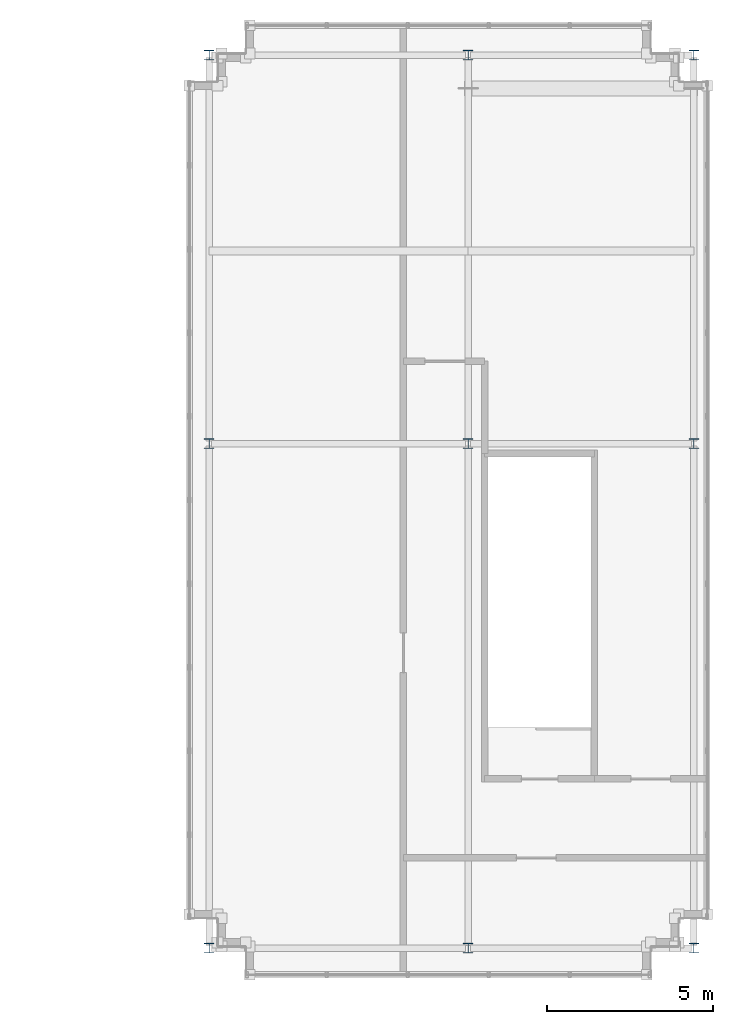
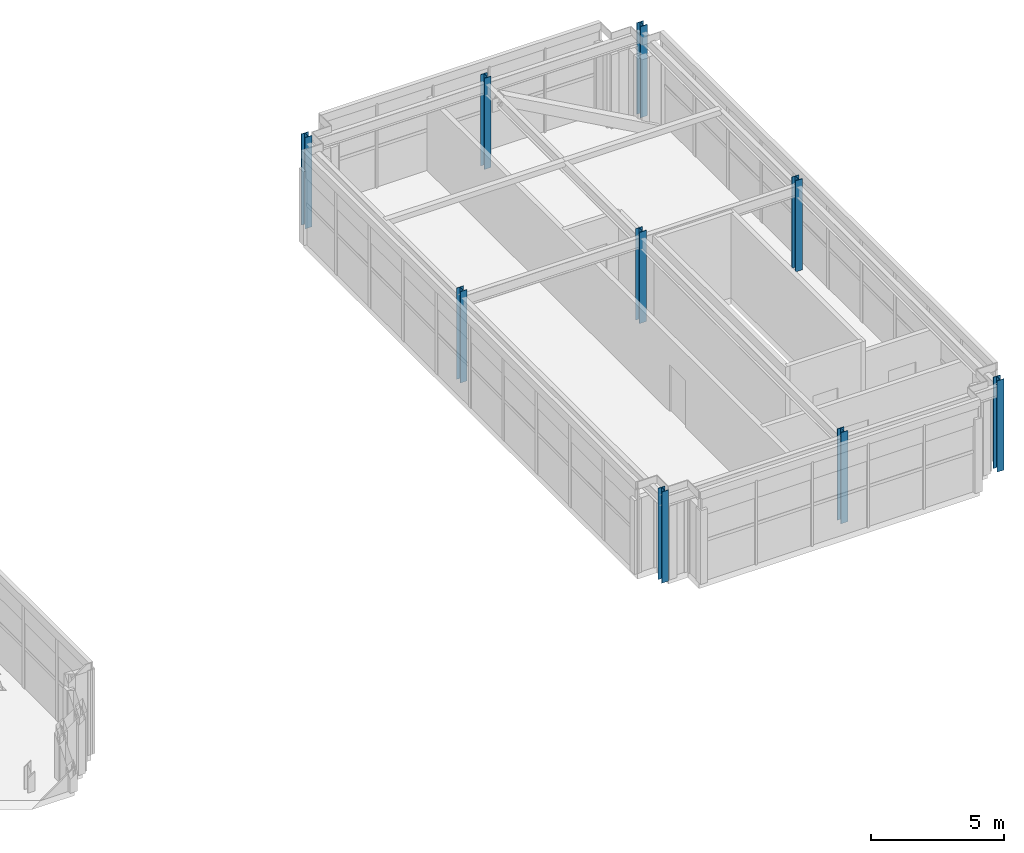
# One storey, part 2 of 25: 9 columns.
"""IFC4 building model written with IfcOpenShell, lengths in metres."""

from ifc_helpers import new_model, si_unit, direction, frame, origin, origin_2d, place, context, subcontext, project, spatial, i_section, extrude, source, transform, mapped, material, material_profile, profile_set, type_object, element, save


model = new_model("IFC4")

# Units and contexts
model_context = context("Model", 3, precision=1e-05, world=origin(), true_north=direction((0.0, 1.0)))
body_context = subcontext(model_context, "Body", "Model", "MODEL_VIEW")
ifc_project = project(units=[si_unit("LENGTHUNIT", "METRE"), si_unit("AREAUNIT", "SQUARE_METRE"), si_unit("VOLUMEUNIT", "CUBIC_METRE"), si_unit("PLANEANGLEUNIT", "RADIAN"), si_unit("MASSUNIT", "GRAM", prefix="KILO")], contexts=[model_context])

# Site, building, storey
site_placement = place(None, origin())
site = spatial("IfcSite", under=ifc_project, at=site_placement, CompositionType="ELEMENT")
building_placement = place(site_placement, origin())
building = spatial("IfcBuilding", under=site, at=building_placement, Name="Trelvane Seafront Commons", CompositionType="ELEMENT")
storey_placement = place(building_placement, frame((0.0, 0.0, 320.89990234375)))
storey = spatial("IfcBuildingStorey", under=building, at=storey_placement, Name="L83", CompositionType="ELEMENT", Elevation=320.89990234375)

# Columns
ifc_material = material(Name="Steel SM355 (S355)", Category="steel")
ifc_material_profile = material_profile(ifc_material, i_section(OverallWidth=0.300048828125, OverallDepth=0.300048828125, WebThickness=0.014892578125, FlangeThickness=0.02392578125, at=origin_2d()), Name="HD-300x300x15x24")
ifc_profile_set = profile_set([ifc_material_profile], Name="Steel SM355 (S355)")
column_type = type_object("IfcColumnType", Name="STR-CROWN-FRAME-COL", PredefinedType="COLUMN", material=ifc_profile_set)
shared_shape = source(origin(), body_context, "Body", "SweptSolid", [
    extrude(i_section(OverallWidth=0.300048828125, OverallDepth=0.300048828125, WebThickness=0.014892578125, FlangeThickness=0.02392578125, at=origin_2d()), origin(), (0.0, 0.0, 1.0), 4.2001953125),
])
for number, where, z_axis, x_axis, name in (
    (1, (51.0, 18.199951171875, 0.0), (0.0, 0.0, 1.0), (1.0, 0.0, 0.0), "L83 CROWN FRAME Column CRN-4-1"),
    (2, (51.0, 33.39990234375, 0.0), (0.0, 0.0, 1.0), (1.0, 0.0, 0.0), "L83 CROWN FRAME Column CRN-4-2"),
    (3, (51.0, 45.10009765625, 0.0), (0.0, 0.0, 1.0), (1.0, 0.0, 0.0), "L83 CROWN FRAME Column CRN-4-3"),
    (4, (58.800048828125, 18.199951171875, 0.0), (0.0, 0.0, 1.0), (1.0, 0.0, 0.0), "L83 CROWN FRAME Column CRN-5-1"),
    (5, (58.800048828125, 33.39990234375, 0.0), (0.0, 0.0, 1.0), (1.0, 0.0, 0.0), "L83 CROWN FRAME Column CRN-5-2"),
    (6, (58.800048828125, 45.10009765625, 0.0), (0.0, 0.0, 1.0), (1.0, 0.0, 0.0), "L83 CROWN FRAME Column CRN-5-3"),
    (7, (65.60009765625, 18.199951171875, 0.0), (0.0, 0.0, 1.0), (1.0, 0.0, 0.0), "L83 CROWN FRAME Column CRN-6-1"),
    (8, (65.60009765625, 33.39990234375, 0.0), (0.0, 0.0, 1.0), (1.0, 0.0, 0.0), "L83 CROWN FRAME Column CRN-6-2"),
    (9, (65.60009765625, 45.10009765625, 0.0), (0.0, 0.0, 1.0), (1.0, 0.0, 0.0), "L83 CROWN FRAME Column CRN-6-3"),
):
    element("IfcColumn", number, at=place(storey_placement, frame(where, z_axis=z_axis, x_axis=x_axis)), inside=storey, type_object=column_type, Name=name, PredefinedType="COLUMN", context=body_context, shape_type="MappedRepresentation", body=[
        mapped(shared_shape, transform((0.0, 0.0, 0.0), x_axis=(1.0, 0.0, 0.0), y_axis=(0.0, 1.0, 0.0), z_axis=(0.0, 0.0, 1.0), scale=1.0)),
    ])

save(model, "model.ifc")
